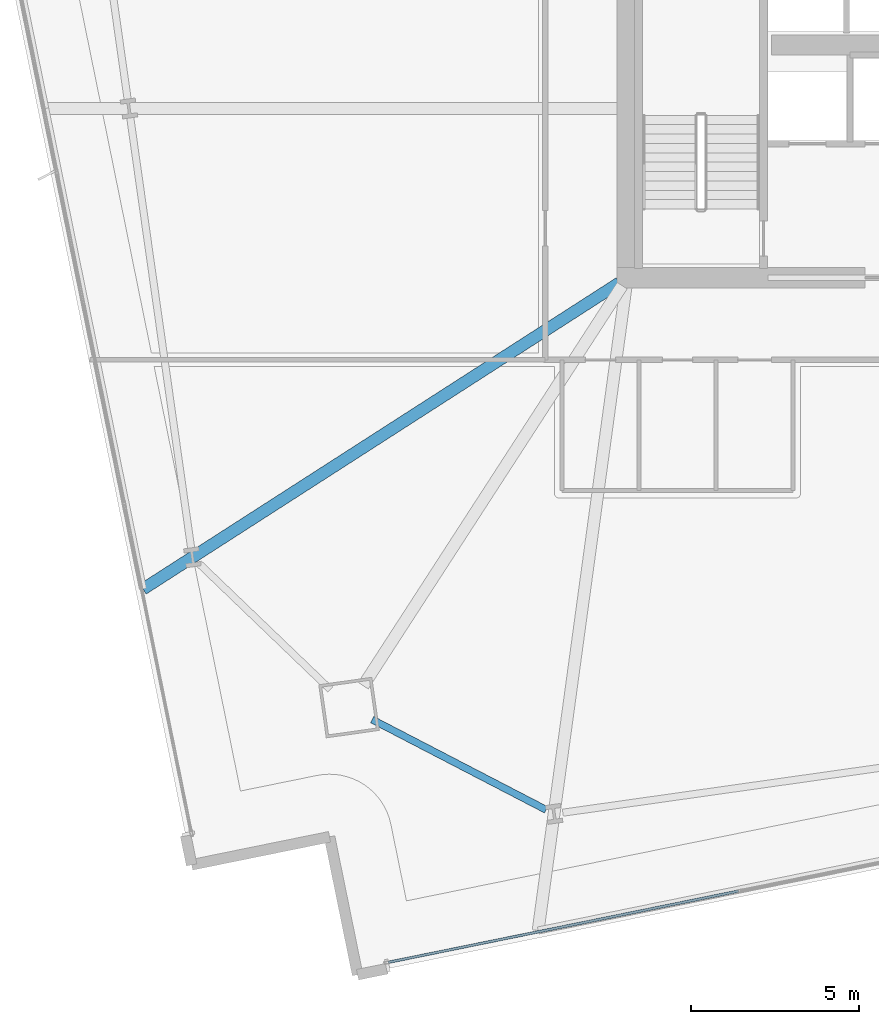
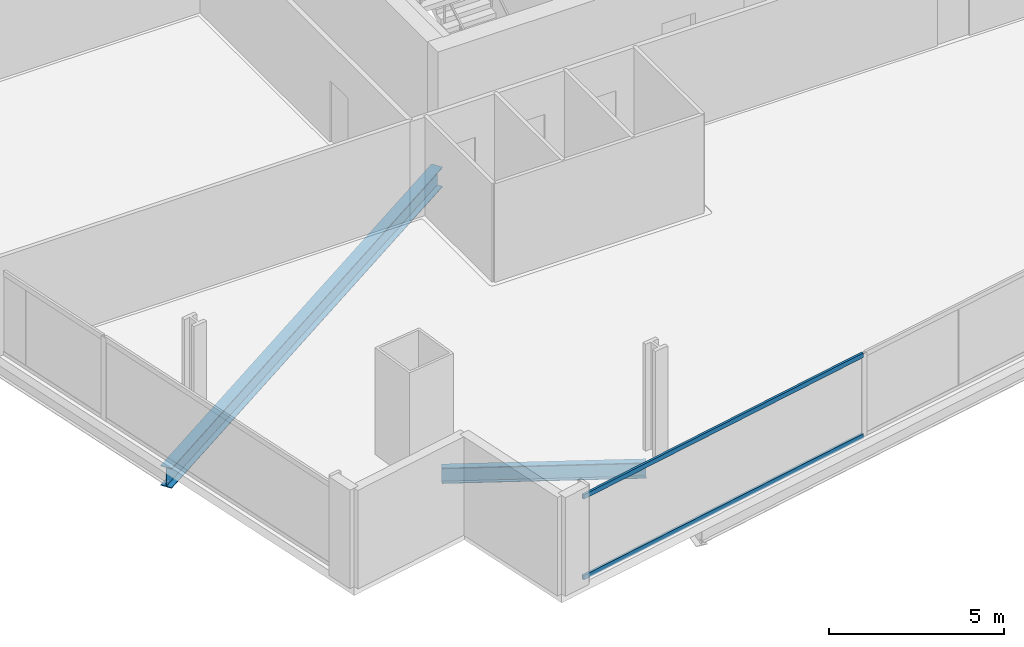
# One storey, part 3 of 33: 2 beams, 2 members, 1 element without a shape of its own.
"""IFC4 building model written with IfcOpenShell, lengths in metres."""

from ifc_helpers import new_model, si_unit, direction, frame, origin, origin_2d, place, context, subcontext, project, spatial, hollow_rectangle, i_section, extrude, material, material_profile, profile_set, type_object, element, aggregate, save


model = new_model("IFC4")

# Units and contexts
model_context = context("Model", 3, precision=1e-05, world=origin(), true_north=direction((0.0, 1.0)))
body_context = subcontext(model_context, "Body", "Model", "MODEL_VIEW")
ifc_project = project(units=[si_unit("LENGTHUNIT", "METRE"), si_unit("AREAUNIT", "SQUARE_METRE"), si_unit("VOLUMEUNIT", "CUBIC_METRE"), si_unit("PLANEANGLEUNIT", "RADIAN"), si_unit("MASSUNIT", "GRAM", prefix="KILO")], contexts=[model_context])

# Site, building, storey
site_placement = place(None, origin())
site = spatial("IfcSite", under=ifc_project, at=site_placement, CompositionType="ELEMENT")
building_placement = place(site_placement, origin())
building = spatial("IfcBuilding", under=site, at=building_placement, Name="Haldenkirk Collegiate Tower", CompositionType="ELEMENT")
storey_placement = place(building_placement, frame((0.0, 0.0, 66.449951171875)))
storey = spatial("IfcBuildingStorey", under=building, at=storey_placement, Name="L15", CompositionType="ELEMENT", Elevation=66.449951171875)

# Beams
ifc_material_1 = material(Name="Steel ASTM A992 Grade 50", Category="steel")
ifc_material_profile_1 = material_profile(ifc_material_1, i_section(OverallWidth=0.35498046875, OverallDepth=0.696044921875, WebThickness=0.015380859375, FlangeThickness=0.02490234375, at=origin_2d()), Name="W27X146")
ifc_profile_set_1 = profile_set([ifc_material_profile_1], Name="Steel ASTM A992 Grade 50")
beam_type_1 = type_object("IfcBeamType", Name="BM-GIRDER-W27X146", PredefinedType="BEAM", material=ifc_profile_set_1)
beam_1_placement = place(storey_placement, frame((12.54638671875, 8.708740234375, -0.657958984375), z_axis=(0.841185514886, 0.540746640809, 0.0), x_axis=(-0.540746640809, 0.841185514886, 0.0)))
element("IfcBeam", 1, at=beam_1_placement, inside=storey, type_object=beam_type_1, Name="L15 primary floor girder 16", PredefinedType="BEAM", context=body_context, shape_type="SweptSolid", body=[
    extrude(i_section(OverallWidth=0.35498046875, OverallDepth=0.696044921875, WebThickness=0.015380859375, FlangeThickness=0.02490234375, at=origin_2d()), origin(), (0.0, 0.0, 1.0), 16.90234375),
])
ifc_material_profile_2 = material_profile(ifc_material_1, i_section(OverallWidth=0.2119140625, OverallDepth=0.5439453125, WebThickness=0.01318359375, FlangeThickness=0.021240234375, at=origin_2d()), Name="W21X83")
ifc_profile_set_2 = profile_set([ifc_material_profile_2], Name="Steel ASTM A992 Grade 50")
beam_type_2 = type_object("IfcBeamType", Name="BM-SPANDREL-W21X83", PredefinedType="SPANDREL", material=ifc_profile_set_2)
beam_2_placement = place(storey_placement, frame((19.388671875, 4.8125, -0.58203125), z_axis=(0.887640153988, -0.460537682528, 0.0), x_axis=(0.460537682528, 0.887640153988, 0.0)))
element("IfcBeam", 2, at=beam_2_placement, inside=storey, type_object=beam_type_2, Name="L15 perimeter spandrel beam 01", PredefinedType="SPANDREL", context=body_context, shape_type="SweptSolid", body=[
    extrude(i_section(OverallWidth=0.2119140625, OverallDepth=0.5439453125, WebThickness=0.01318359375, FlangeThickness=0.021240234375, at=origin_2d()), origin(), (0.0, 0.0, 1.0), 5.848876953125),
])

# Curtain wall, members
ifc_material_2 = material(Name="Anodised architectural bronze aluminium", Category="aluminium")
curtain_wall_type = type_object("IfcCurtainWallType", Name="CW-SYS2-CONCAVE", PredefinedType="USERDEFINED", material=ifc_material_2)
curtain_wall_placement = place(storey_placement, origin())
curtain_wall = element("IfcCurtainWall", 3, at=curtain_wall_placement, inside=storey, type_object=curtain_wall_type, Name="L15 South concave recessed bronze-anodised curtain wall", ObjectType="UNITISED CURTAIN WALL", PredefinedType="USERDEFINED")
ifc_material_profile_3 = material_profile(ifc_material_2, hollow_rectangle(XDim=0.074951171875, YDim=0.159912109375, WallThickness=0.0048828125, at=origin_2d()), Name="CW-TRN-02")
ifc_profile_set_3 = profile_set([ifc_material_profile_3], Name="Anodised architectural bronze aluminium")
member_type = type_object("IfcMemberType", Name="CW-TRN-02", PredefinedType="USERDEFINED", material=ifc_profile_set_3)
member_1_placement = place(storey_placement, frame((30.31787109375, -0.305908203125, 0.03759765625), z_axis=(-0.979925366925, -0.199364679062, 0.0), x_axis=(0.199364679062, -0.979925366925, 0.0)))
member_1 = element("IfcMember", 4, at=member_1_placement, type_object=member_type, Name="CW-02 transom 4.1", ObjectType="TRANSOM", PredefinedType="USERDEFINED", context=body_context, shape_type="SweptSolid", body=[
    extrude(hollow_rectangle(XDim=0.074951171875, YDim=0.159912109375, WallThickness=0.0048828125, at=origin_2d()), origin(), (0.0, 0.0, 1.0), 10.66259765625),
])
member_2_placement = place(storey_placement, frame((30.31787109375, -0.305908203125, 2.853515625), z_axis=(-0.979925366925, -0.199364679062, 0.0), x_axis=(0.199364679062, -0.979925366925, 0.0)))
member_2 = element("IfcMember", 5, at=member_2_placement, type_object=member_type, Name="CW-02 transom 4.2", ObjectType="TRANSOM", PredefinedType="USERDEFINED", context=body_context, shape_type="SweptSolid", body=[
    extrude(hollow_rectangle(XDim=0.074951171875, YDim=0.159912109375, WallThickness=0.0048828125, at=origin_2d()), origin(), (0.0, 0.0, 1.0), 10.66259765625),
])
aggregate(curtain_wall, [member_1, member_2])

save(model, "model.ifc")
